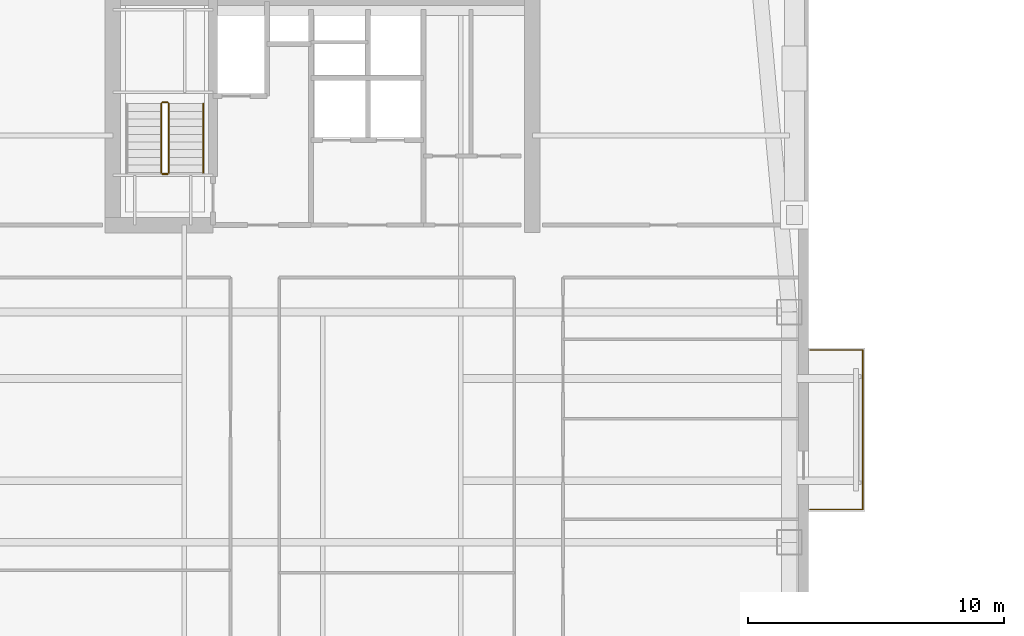
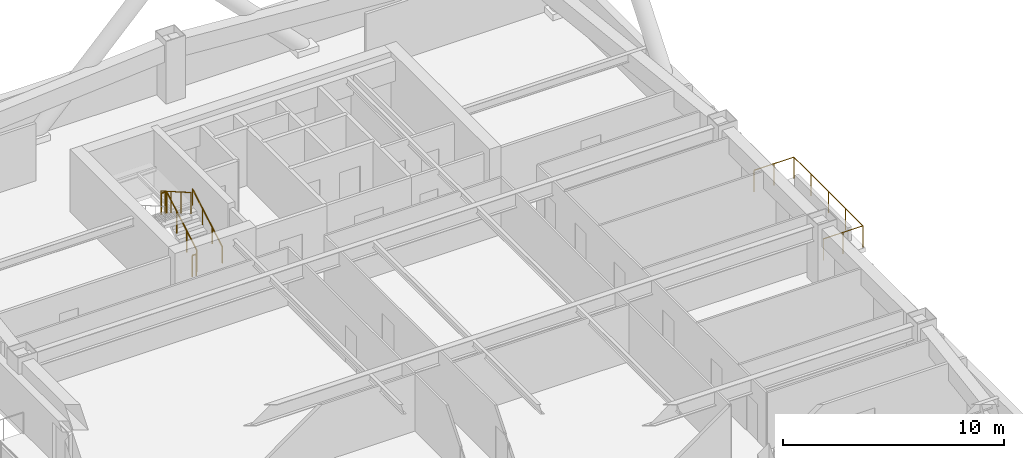
# One storey, part 15 of 17: 6 railings.
"""IFC4 building model written with IfcOpenShell, lengths in metres."""

from ifc_helpers import new_model, si_unit, direction, frame, origin, origin_2d, place, context, subcontext, project, spatial, circle, extrude, material, type_object, element, save


model = new_model("IFC4")

# Units and contexts
model_context = context("Model", 3, precision=1e-05, world=origin(), true_north=direction((0.0, 1.0)))
body_context = subcontext(model_context, "Body", "Model", "MODEL_VIEW")
ifc_project = project(units=[si_unit("LENGTHUNIT", "METRE"), si_unit("AREAUNIT", "SQUARE_METRE"), si_unit("VOLUMEUNIT", "CUBIC_METRE"), si_unit("PLANEANGLEUNIT", "RADIAN"), si_unit("MASSUNIT", "GRAM", prefix="KILO")], contexts=[model_context])

# Site, building, storey
site_placement = place(None, origin())
site = spatial("IfcSite", under=ifc_project, at=site_placement, CompositionType="ELEMENT")
building_placement = place(site_placement, origin())
building = spatial("IfcBuilding", under=site, at=building_placement, Name="Qiaolan Cultural Towers", CompositionType="ELEMENT")
storey_placement = place(building_placement, frame((0.0, 0.0, 134.550048828125)))
storey = spatial("IfcBuildingStorey", under=building, at=storey_placement, Name="L35", CompositionType="ELEMENT", Elevation=134.550048828125)

# Railings
ifc_material_1 = material(Name="Laminated SentryGlas & Stainless Steel S31608 Balustrade", Category="steel")
railing_type_1 = type_object("IfcRailingType", Name="GRD-TERR-1200", PredefinedType="BALUSTRADE", material=ifc_material_1)
railing_1_placement = place(storey_placement, frame((49.050048828125, 35.280029296875, 0.0)))
element("IfcRailing", 1, at=railing_1_placement, inside=storey, type_object=railing_type_1, Name="L35 T1 Tree Balcony Guardrail E", PredefinedType="BALUSTRADE", context=body_context, shape_type="SweptSolid", body=[
    extrude(circle(Radius=0.02392578125, at=origin_2d()), frame((0.0, 0.0, 1.17578125), z_axis=(1.0, 0.0, 0.0), x_axis=(0.0, 1.0, 0.0)), (0.0, 0.0, 1.0), 2.070068359375),
    extrude(circle(Radius=0.02392578125, at=origin_2d()), frame((2.070068359375, 0.0, 1.17578125), z_axis=(0.0, 1.0, 0.0), x_axis=(-1.0, 0.0, 0.0)), (0.0, 0.0, 1.0), 6.239990234375),
    extrude(circle(Radius=0.02392578125, at=origin_2d()), frame((2.070068359375, 6.239990234375, 1.17578125), z_axis=(-1.0, 0.0, 0.0), x_axis=(0.0, -1.0, 0.0)), (0.0, 0.0, 1.0), 2.070068359375),
    extrude(circle(Radius=0.02099609375, at=origin_2d()), origin(), (0.0, 0.0, 1.0), 1.15185546875),
    extrude(circle(Radius=0.02099609375, at=origin_2d()), frame((1.03515625, 0.0, 0.0)), (0.0, 0.0, 1.0), 1.15185546875),
    extrude(circle(Radius=0.02099609375, at=origin_2d()), frame((2.070068359375, 0.0, 0.0)), (0.0, 0.0, 1.0), 1.15185546875),
    extrude(circle(Radius=0.02099609375, at=origin_2d()), frame((2.070068359375, 1.56005859375, 0.0)), (0.0, 0.0, 1.0), 1.15185546875),
    extrude(circle(Radius=0.02099609375, at=origin_2d()), frame((2.070068359375, 3.1201171875, 0.0)), (0.0, 0.0, 1.0), 1.15185546875),
    extrude(circle(Radius=0.02099609375, at=origin_2d()), frame((2.070068359375, 4.679931640625, 0.0)), (0.0, 0.0, 1.0), 1.15185546875),
    extrude(circle(Radius=0.02099609375, at=origin_2d()), frame((2.070068359375, 6.239990234375, 0.0)), (0.0, 0.0, 1.0), 1.15185546875),
    extrude(circle(Radius=0.02099609375, at=origin_2d()), frame((1.03515625, 6.239990234375, 0.0)), (0.0, 0.0, 1.0), 1.15185546875),
    extrude(circle(Radius=0.02099609375, at=origin_2d()), frame((0.0, 6.239990234375, 0.0)), (0.0, 0.0, 1.0), 1.15185546875),
])
ifc_material_2 = material(Name="Galvanized Painted Steel Stair Guardrail", Category="steel")
railing_type_2 = type_object("IfcRailingType", Name="RL-STAIR-GRD", PredefinedType="GUARDRAIL", material=ifc_material_2)
railing_2_placement = place(storey_placement, frame((23.989990234375, 48.449951171875, 0.17236328125)))
element("IfcRailing", 2, at=railing_2_placement, inside=storey, type_object=railing_type_2, Name="L35 ST-W2 stair guard 1", PredefinedType="GUARDRAIL", context=body_context, shape_type="SweptSolid", body=[
    extrude(circle(Radius=0.02392578125, at=origin_2d()), frame((0.0, 0.0, 1.17578125), z_axis=(0.0, 0.866903762492, 0.498475542607), x_axis=(-1.0, 0.0, 0.0)), (0.0, 0.0, 1.0), 3.114501953125),
    extrude(circle(Radius=0.02099609375, at=origin_2d()), origin(), (0.0, 0.0, 1.0), 1.15185546875),
    extrude(circle(Radius=0.02099609375, at=origin_2d()), frame((0.0, 0.89990234375, 0.517578125)), (0.0, 0.0, 1.0), 1.15185546875),
    extrude(circle(Radius=0.02099609375, at=origin_2d()), frame((0.0, 1.800048828125, 1.034912109375)), (0.0, 0.0, 1.0), 1.15185546875),
    extrude(circle(Radius=0.02099609375, at=origin_2d()), frame((0.0, 2.699951171875, 1.552490234375)), (0.0, 0.0, 1.0), 1.15185546875),
])
railing_3_placement = place(storey_placement, frame((23.93994140625, 51.199951171875, 1.724853515625)))
element("IfcRailing", 3, at=railing_3_placement, inside=storey, type_object=railing_type_2, Name="L35 ST-W2 stair guard 2", PredefinedType="GUARDRAIL", context=body_context, shape_type="SweptSolid", body=[
    extrude(circle(Radius=0.02392578125, at=origin_2d()), frame((0.0, 0.0, 1.17578125), z_axis=(-1.0, 0.0, 0.0), x_axis=(0.0, -1.0, 0.0)), (0.0, 0.0, 1.0), 0.199951171875),
    extrude(circle(Radius=0.02099609375, at=origin_2d()), origin(), (0.0, 0.0, 1.0), 1.15185546875),
    extrude(circle(Radius=0.02099609375, at=origin_2d()), frame((-0.199951171875, 0.0, 0.0)), (0.0, 0.0, 1.0), 1.15185546875),
])
railing_4_placement = place(storey_placement, frame((23.68994140625, 51.14990234375, 1.8974609375)))
element("IfcRailing", 4, at=railing_4_placement, inside=storey, type_object=railing_type_2, Name="L35 ST-W2 stair guard 3", PredefinedType="GUARDRAIL", context=body_context, shape_type="SweptSolid", body=[
    extrude(circle(Radius=0.02392578125, at=origin_2d()), frame((0.0, 0.0, 1.17578125), z_axis=(0.0, -0.866903762492, 0.498475542607), x_axis=(1.0, 0.0, 0.0)), (0.0, 0.0, 1.0), 3.114501953125),
    extrude(circle(Radius=0.02099609375, at=origin_2d()), origin(), (0.0, 0.0, 1.0), 1.15185546875),
    extrude(circle(Radius=0.02099609375, at=origin_2d()), frame((0.0, -0.89990234375, 0.517578125)), (0.0, 0.0, 1.0), 1.15185546875),
    extrude(circle(Radius=0.02099609375, at=origin_2d()), frame((0.0, -1.800048828125, 1.034912109375)), (0.0, 0.0, 1.0), 1.15185546875),
    extrude(circle(Radius=0.02099609375, at=origin_2d()), frame((0.0, -2.699951171875, 1.552490234375)), (0.0, 0.0, 1.0), 1.15185546875),
])
railing_5_placement = place(storey_placement, frame((23.93994140625, 48.39990234375, 0.0)))
element("IfcRailing", 5, at=railing_5_placement, inside=storey, type_object=railing_type_2, Name="L35 ST-W2 stair guard 4", PredefinedType="GUARDRAIL", context=body_context, shape_type="SweptSolid", body=[
    extrude(circle(Radius=0.02392578125, at=origin_2d()), frame((0.0, 0.0, 1.17578125), z_axis=(-1.0, 0.0, 0.0), x_axis=(0.0, -1.0, 0.0)), (0.0, 0.0, 1.0), 0.199951171875),
    extrude(circle(Radius=0.02099609375, at=origin_2d()), origin(), (0.0, 0.0, 1.0), 1.15185546875),
    extrude(circle(Radius=0.02099609375, at=origin_2d()), frame((-0.199951171875, 0.0, 0.0)), (0.0, 0.0, 1.0), 1.15185546875),
])
ifc_material_3 = material(Name="Stainless Steel S30408 Tubular Handrail", Category="steel")
railing_type_3 = type_object("IfcRailingType", Name="RL-STAIR-HR", PredefinedType="HANDRAIL", material=ifc_material_3)
railing_6_placement = place(storey_placement, frame((25.330078125, 48.449951171875, 0.17236328125)))
element("IfcRailing", 6, at=railing_6_placement, inside=storey, type_object=railing_type_3, Name="L35 ST-W2 stair handrail 1", PredefinedType="HANDRAIL", context=body_context, shape_type="SweptSolid", body=[
    extrude(circle(Radius=0.02392578125, at=origin_2d()), frame((0.0, 0.0, 0.8759765625), z_axis=(0.0, 0.866903762492, 0.498475542607), x_axis=(-1.0, 0.0, 0.0)), (0.0, 0.0, 1.0), 3.114501953125),
    extrude(circle(Radius=0.02099609375, at=origin_2d()), origin(), (0.0, 0.0, 1.0), 0.851806640625),
    extrude(circle(Radius=0.02099609375, at=origin_2d()), frame((0.0, 0.89990234375, 0.517578125)), (0.0, 0.0, 1.0), 0.851806640625),
    extrude(circle(Radius=0.02099609375, at=origin_2d()), frame((0.0, 1.800048828125, 1.034912109375)), (0.0, 0.0, 1.0), 0.851806640625),
    extrude(circle(Radius=0.02099609375, at=origin_2d()), frame((0.0, 2.699951171875, 1.552490234375)), (0.0, 0.0, 1.0), 0.851806640625),
])

save(model, "model.ifc")
